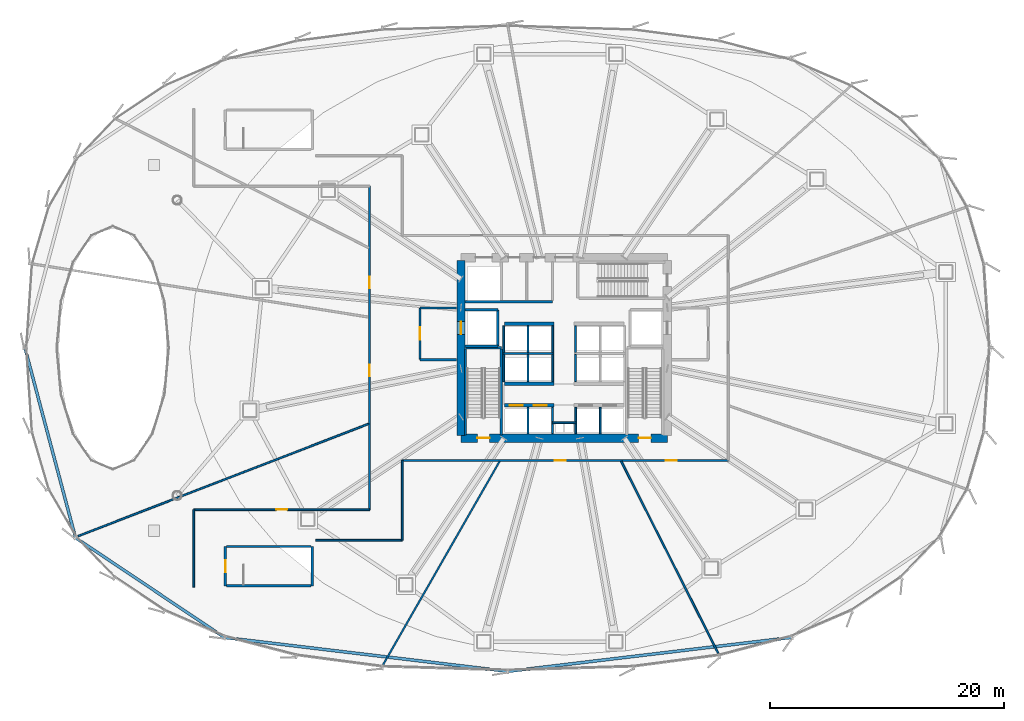
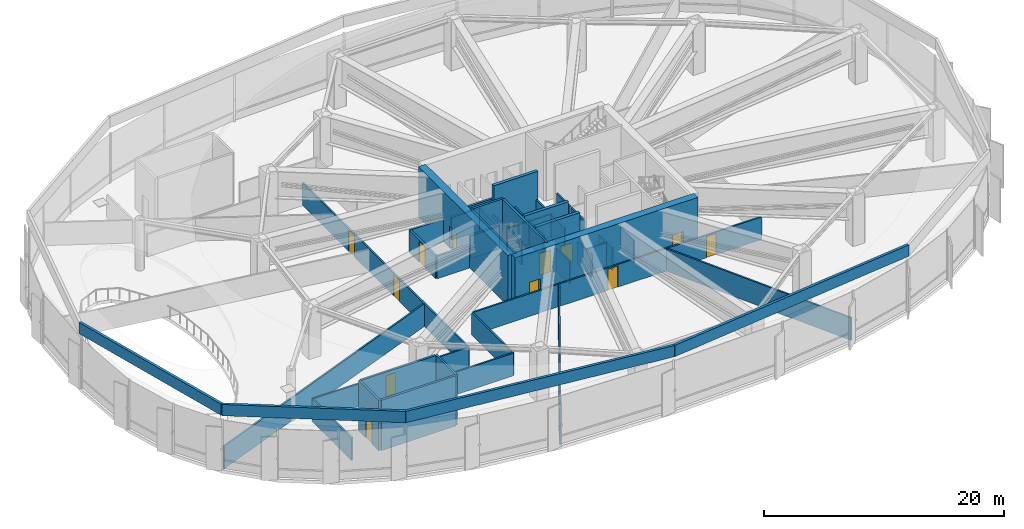
# One storey, part 27 of 36: 46 walls, 12 doors, 12 openings.
"""IFC4 building model written with IfcOpenShell, lengths in metres."""

from ifc_helpers import new_model, si_unit, direction, frame, frame_2d, origin, place, context, subcontext, project, spatial, rectangle, extrude, source, transform, mapped, material, layer, layer_set, type_object, element, fill, save


model = new_model("IFC4")

# Units and contexts
model_context = context("Model", 3, precision=1e-05, world=origin(), true_north=direction((0.0, 1.0)))
body_context = subcontext(model_context, "Body", "Model", "MODEL_VIEW")
ifc_project = project(units=[si_unit("LENGTHUNIT", "METRE"), si_unit("AREAUNIT", "SQUARE_METRE"), si_unit("VOLUMEUNIT", "CUBIC_METRE"), si_unit("PLANEANGLEUNIT", "RADIAN"), si_unit("MASSUNIT", "GRAM", prefix="KILO"), si_unit("THERMODYNAMICTEMPERATUREUNIT", "KELVIN")], contexts=[model_context])

# Site, building, storey
site_placement = place(None, origin())
site = spatial("IfcSite", under=ifc_project, at=site_placement, CompositionType="ELEMENT")
building_placement = place(site_placement, origin())
building = spatial("IfcBuilding", under=site, at=building_placement, Name="Kethvar Cultural Tower", CompositionType="ELEMENT")
storey_placement = place(building_placement, frame((0.0, 0.0, 24.0)))
storey = spatial("IfcBuildingStorey", under=building, at=storey_placement, Name="L05", CompositionType="ELEMENT", Elevation=24.0)

# Wall, openings, doors
ifc_material_1 = material(Name="Concrete C60/75", Category="concrete")
ifc_layer_1 = layer(ifc_material_1, 0.699951171875, Name="Concrete C60/75", Category="concrete")
ifc_layer_set_1 = layer_set([ifc_layer_1], Name="Concrete C60/75 (700 mm)")
wall_type_1 = type_object("IfcWallType", Name="WL-CORE-700", PredefinedType="SHEAR", material=ifc_layer_set_1)
wall_1_placement = place(storey_placement, frame((38.0, 20.10009765625, 0.0), z_axis=(0.0, 0.0, 1.0), x_axis=(1.0, 0.0, 0.0)))
wall_1 = element("IfcWall", 1, at=wall_1_placement, inside=storey, type_object=wall_type_1, Name="L05 Core Shear Wall S", PredefinedType="SHEAR", context=body_context, shape_type="SweptSolid", body=[
    extrude(rectangle(XDim=17.60009765625, YDim=0.699951171875, at=frame_2d((8.800048828125, 0.0))), origin(), (0.0, 0.0, 1.0), 5.1201171875),
])
opening_1_placement = place(wall_1_placement, frame((1.39990234375, 0.0, 0.0)))
opening_1 = element("IfcOpeningElement", 2, at=opening_1_placement, cuts=wall_1, Name="Opening D-L05-S1", PredefinedType="OPENING", context=body_context, shape_type="SweptSolid", body=[
    extrude(rectangle(XDim=1.050048828125, YDim=2.14990234375, at=frame_2d((0.52490234375, 1.074951171875))), frame((0.0, 0.35986328125, 0.0), z_axis=(0.0, -1.0, 0.0), x_axis=(1.0, 0.0, 0.0)), (0.0, 0.0, 1.0), 0.719970703125),
])
opening_2_placement = place(wall_1_placement, frame((15.14990234375, 0.0, 0.0)))
opening_2 = element("IfcOpeningElement", 3, at=opening_2_placement, cuts=wall_1, Name="Opening D-L05-ST2", PredefinedType="OPENING", context=body_context, shape_type="SweptSolid", body=[
    extrude(rectangle(XDim=1.050048828125, YDim=2.14990234375, at=frame_2d((0.52490234375, 1.074951171875))), frame((0.0, 0.35986328125, 0.0), z_axis=(0.0, -1.0, 0.0), x_axis=(1.0, 0.0, 0.0)), (0.0, 0.0, 1.0), 0.719970703125),
])
ifc_material_2 = material(Name="Steel S355J2", Category="steel")
door_type_1 = type_object("IfcDoorType", Name="DR-FD60-1050", OperationType="NOTDEFINED", PredefinedType="DOOR", material=ifc_material_2)
shared_shape_1 = source(origin(), body_context, "Body", "SweptSolid", [
    extrude(rectangle(XDim=1.050048828125, YDim=2.14990234375, at=frame_2d((0.52490234375, 1.074951171875))), frame((0.0, 0.02490234375, 0.0), z_axis=(0.0, -1.0, 0.0), x_axis=(1.0, 0.0, 0.0)), (0.0, 0.0, 1.0), 0.050048828125),
])
door_1_placement = place(opening_1_placement, origin())
door_1 = element("IfcDoor", 4, at=door_1_placement, inside=storey, type_object=door_type_1, Name="L05 Exit Stair 1 Door", OperationType="SINGLE_SWING_LEFT", OverallHeight=2.14990234375, OverallWidth=1.050048828125, PredefinedType="DOOR", context=body_context, shape_type="MappedRepresentation", body=[
    mapped(shared_shape_1, transform((0.0, 0.0, 0.0), scale=1.0)),
])
fill(opening_1, door_1)
door_2_placement = place(opening_2_placement, origin())
door_2 = element("IfcDoor", 5, at=door_2_placement, inside=storey, type_object=door_type_1, Name="L05 Exit Stair 2 Door", OperationType="SINGLE_SWING_RIGHT", OverallHeight=2.14990234375, OverallWidth=1.050048828125, PredefinedType="DOOR", context=body_context, shape_type="MappedRepresentation", body=[
    mapped(shared_shape_1, transform((0.0, 0.0, 0.0), scale=1.0)),
])
fill(opening_2, door_2)

# Wall, opening, door
wall_2_placement = place(storey_placement, frame((38.0, 35.260009765625, 0.0), z_axis=(0.0, 0.0, 1.0), x_axis=(0.0, -1.0, 0.0)))
wall_2 = element("IfcWall", 6, at=wall_2_placement, inside=storey, type_object=wall_type_1, Name="L05 Core Shear Wall W", PredefinedType="SHEAR", context=body_context, shape_type="SweptSolid", body=[
    extrude(rectangle(XDim=14.919921875, YDim=0.699951171875, at=frame_2d((7.4599609375, 0.0))), origin(), (0.0, 0.0, 1.0), 5.1201171875),
])
opening_3_placement = place(wall_2_placement, frame((5.2099609375, 0.0, 0.0)))
opening_3 = element("IfcOpeningElement", 7, at=opening_3_placement, cuts=wall_2, Name="Opening LD-1", PredefinedType="OPENING", context=body_context, shape_type="SweptSolid", body=[
    extrude(rectangle(XDim=1.10009765625, YDim=2.199951171875, at=frame_2d((0.550048828125, 1.10009765625))), frame((0.0, 0.35986328125, 0.0), z_axis=(0.0, -1.0, 0.0), x_axis=(1.0, 0.0, 0.0)), (0.0, 0.0, 1.0), 0.719970703125),
])
door_type_2 = type_object("IfcDoorType", Name="DR-LIFT-SLIDE-1100", OperationType="NOTDEFINED", PredefinedType="DOOR", material=ifc_material_2)
shared_shape_2 = source(origin(), body_context, "Body", "SweptSolid", [
    extrude(rectangle(XDim=1.10009765625, YDim=2.199951171875, at=frame_2d((0.550048828125, 1.10009765625))), frame((0.0, 0.02490234375, 0.0), z_axis=(0.0, -1.0, 0.0), x_axis=(1.0, 0.0, 0.0)), (0.0, 0.0, 1.0), 0.050048828125),
])
door_3_placement = place(opening_3_placement, origin())
door_3 = element("IfcDoor", 8, at=door_3_placement, inside=storey, type_object=door_type_2, Name="L05 Firefighting Lift Landing Door FFL-01", OperationType="SLIDING_TO_LEFT", OverallHeight=2.199951171875, OverallWidth=1.10009765625, PredefinedType="DOOR", context=body_context, shape_type="MappedRepresentation", body=[
    mapped(shared_shape_2, transform((0.0, 0.0, 0.0), scale=1.0)),
])
fill(opening_3, door_3)

# Walls
ifc_material_3 = material(Name="Gypsum Fireboard Partition")
ifc_layer_2 = layer(ifc_material_3, 0.14990234375, Name="Gypsum Fireboard Partition")
ifc_layer_set_2 = layer_set([ifc_layer_2], Name="Gypsum Fireboard Partition (150 mm)")
wall_type_2 = type_object("IfcWallType", Name="WL-FIRE-150", PredefinedType="PARTITIONING", material=ifc_layer_set_2)
wall_3_placement = place(storey_placement, frame((45.800048828125, 21.419921875, 0.0), z_axis=(0.0, 0.0, 1.0), x_axis=(1.0, 0.0, 0.0)))
element("IfcWall", 9, at=wall_3_placement, inside=storey, type_object=wall_type_2, Name="L05 Core Riser Wall", PredefinedType="PARTITIONING", context=body_context, shape_type="SweptSolid", body=[
    extrude(rectangle(XDim=2.0, YDim=0.14990234375, at=frame_2d((1.0, 0.0))), origin(), (0.0, 0.0, 1.0), 2.294921875),
])
for number, where, z_axis, x_axis, name in (
    (10, (45.800048828125, 20.47998046875, 0.0), (0.0, 0.0, 1.0), (0.0, 1.0, 0.0), "L05 Core Riser West Wall"),
    (11, (47.800048828125, 20.47998046875, 0.0), (0.0, 0.0, 1.0), (0.0, 1.0, 0.0), "L05 Core Riser East Wall"),
):
    element("IfcWall", number, at=place(storey_placement, frame(where, z_axis=z_axis, x_axis=x_axis)), inside=storey, type_object=wall_type_2, Name=name, PredefinedType="PARTITIONING", context=body_context, shape_type="SweptSolid", body=[
        extrude(rectangle(XDim=2.239990234375, YDim=0.14990234375, at=frame_2d((1.1201171875, 0.0))), origin(), (0.0, 0.0, 1.0), 2.294921875),
    ])
for number, where, z_axis, x_axis, name in (
    (12, (43.72509765625, 20.4599609375, 0.0), (0.0, 0.0, 1.0), (0.0, 1.0, 0.0), "L05 Low-Rise Lift Shaft Divider W"),
    (13, (49.875, 20.4599609375, 0.0), (0.0, 0.0, 1.0), (0.0, 1.0, 0.0), "L05 Low-Rise Lift Shaft Divider E"),
):
    element("IfcWall", number, at=place(storey_placement, frame(where, z_axis=z_axis, x_axis=x_axis)), inside=storey, type_object=wall_type_2, Name=name, PredefinedType="PARTITIONING", context=body_context, shape_type="SweptSolid", body=[
        extrude(rectangle(XDim=2.27001953125, YDim=0.14990234375, at=frame_2d((1.135009765625, 0.0))), origin(), (0.0, 0.0, 1.0), 2.294921875),
    ])
wall_4_placement = place(storey_placement, frame((41.580078125, 27.324951171875, 0.0), z_axis=(0.0, 0.0, 1.0), x_axis=(1.0, 0.0, 0.0)))
element("IfcWall", 14, at=wall_4_placement, inside=storey, type_object=wall_type_2, Name="L05 Mid-High Lift Shaft Back Wall W", PredefinedType="PARTITIONING", context=body_context, shape_type="SweptSolid", body=[
    extrude(rectangle(XDim=4.31982421875, YDim=0.14990234375, at=frame_2d((2.159912109375, 0.0))), origin(), (0.0, 0.0, 1.0), 2.294921875),
])
for number, where, z_axis, x_axis, name in (
    (15, (41.64990234375, 24.919921875, 0.0), (0.0, 0.0, 1.0), (0.0, 1.0, 0.0), "L05 Mid-Rise Lift Shaft Outer Wall W"),
    (16, (43.72509765625, 24.919921875, 0.0), (0.0, 0.0, 1.0), (0.0, 1.0, 0.0), "L05 Mid-Rise Lift Shaft Divider W"),
    (17, (45.824951171875, 24.919921875, 0.0), (0.0, 0.0, 1.0), (0.0, 1.0, 0.0), "L05 Mid-Rise Lift Shaft Concourse Wall W"),
    (18, (47.77490234375, 24.919921875, 0.0), (0.0, 0.0, 1.0), (0.0, 1.0, 0.0), "L05 Mid-Rise Lift Shaft Concourse Wall E"),
):
    element("IfcWall", number, at=place(storey_placement, frame(where, z_axis=z_axis, x_axis=x_axis)), inside=storey, type_object=wall_type_2, Name=name, PredefinedType="PARTITIONING", context=body_context, shape_type="SweptSolid", body=[
        extrude(rectangle(XDim=2.320068359375, YDim=0.14990234375, at=frame_2d((1.16015625, 0.0))), origin(), (0.0, 0.0, 1.0), 2.294921875),
    ])
for number, where, z_axis, x_axis, name in (
    (19, (41.64990234375, 27.409912109375, 0.0), (0.0, 0.0, 1.0), (0.0, 1.0, 0.0), "L05 High-Rise Lift Shaft Outer Wall W"),
    (20, (43.72509765625, 27.409912109375, 0.0), (0.0, 0.0, 1.0), (0.0, 1.0, 0.0), "L05 High-Rise Lift Shaft Divider W"),
    (21, (45.824951171875, 27.409912109375, 0.0), (0.0, 0.0, 1.0), (0.0, 1.0, 0.0), "L05 High-Rise Lift Shaft Concourse Wall W"),
    (22, (47.77490234375, 27.409912109375, 0.0), (0.0, 0.0, 1.0), (0.0, 1.0, 0.0), "L05 High-Rise Lift Shaft Concourse Wall E"),
):
    element("IfcWall", number, at=place(storey_placement, frame(where, z_axis=z_axis, x_axis=x_axis)), inside=storey, type_object=wall_type_2, Name=name, PredefinedType="PARTITIONING", context=body_context, shape_type="SweptSolid", body=[
        extrude(rectangle(XDim=2.27001953125, YDim=0.14990234375, at=frame_2d((1.135009765625, 0.0))), origin(), (0.0, 0.0, 1.0), 2.294921875),
    ])

# Wall, openings, doors
wall_5_placement = place(storey_placement, frame((33.0, 18.199951171875, 0.0), z_axis=(0.0, 0.0, 1.0), x_axis=(1.0, 0.0, 0.0)))
wall_5 = element("IfcWall", 23, at=wall_5_placement, inside=storey, type_object=wall_type_2, Name="L05 Corridor Rated Wall S", PredefinedType="PARTITIONING", context=body_context, shape_type="SweptSolid", body=[
    extrude(rectangle(XDim=27.800048828125, YDim=0.14990234375, at=frame_2d((13.89990234375, 0.0))), origin(), (0.0, 0.0, 1.0), 2.294921875),
])
opening_4_placement = place(wall_5_placement, frame((13.007568359375, 0.0, 0.0)))
opening_4 = element("IfcOpeningElement", 24, at=opening_4_placement, cuts=wall_5, Name="Opening D-L05-07", PredefinedType="OPENING", context=body_context, shape_type="SweptSolid", body=[
    extrude(rectangle(XDim=0.949951171875, YDim=2.14990234375, at=frame_2d((0.47509765625, 1.074951171875))), frame((0.0, 0.0849609375, 0.0), z_axis=(0.0, -1.0, 0.0), x_axis=(1.0, 0.0, 0.0)), (0.0, 0.0, 1.0), 0.169921875),
])
opening_5_placement = place(wall_5_placement, frame((22.452392578125, 0.0, 0.0)))
opening_5 = element("IfcOpeningElement", 25, at=opening_5_placement, cuts=wall_5, Name="Opening D-L05-08", PredefinedType="OPENING", context=body_context, shape_type="SweptSolid", body=[
    extrude(rectangle(XDim=0.949951171875, YDim=2.14990234375, at=frame_2d((0.47509765625, 1.074951171875))), frame((0.0, 0.0849609375, 0.0), z_axis=(0.0, -1.0, 0.0), x_axis=(1.0, 0.0, 0.0)), (0.0, 0.0, 1.0), 0.169921875),
])
ifc_material_4 = material(Name="Architectural Oak Timber", Category="wood")
door_type_3 = type_object("IfcDoorType", Name="DR-FD30-950", OperationType="NOTDEFINED", PredefinedType="DOOR", material=ifc_material_4)
shared_shape_3 = source(origin(), body_context, "Body", "SweptSolid", [
    extrude(rectangle(XDim=0.949951171875, YDim=2.14990234375, at=frame_2d((0.47509765625, 1.074951171875))), frame((0.0, 0.02490234375, 0.0), z_axis=(0.0, -1.0, 0.0), x_axis=(1.0, 0.0, 0.0)), (0.0, 0.0, 1.0), 0.050048828125),
])
door_4_placement = place(opening_4_placement, origin())
door_4 = element("IfcDoor", 26, at=door_4_placement, inside=storey, type_object=door_type_3, Name="L05 Podium South Refuge Area 07 Door", OperationType="SINGLE_SWING_RIGHT", OverallHeight=2.14990234375, OverallWidth=0.949951171875, PredefinedType="DOOR", context=body_context, shape_type="MappedRepresentation", body=[
    mapped(shared_shape_3, transform((0.0, 0.0, 0.0), scale=1.0)),
])
fill(opening_4, door_4)
door_5_placement = place(opening_5_placement, origin())
door_5 = element("IfcDoor", 27, at=door_5_placement, inside=storey, type_object=door_type_3, Name="L05 Podium Primary AHU Plant Room 08 Door", OperationType="SINGLE_SWING_LEFT", OverallHeight=2.14990234375, OverallWidth=0.949951171875, PredefinedType="DOOR", context=body_context, shape_type="MappedRepresentation", body=[
    mapped(shared_shape_3, transform((0.0, 0.0, 0.0), scale=1.0)),
])
fill(opening_5, door_5)

wall_6_placement = place(storey_placement, frame((30.199951171875, 14.0, 0.0), z_axis=(0.0, 0.0, 1.0), x_axis=(0.0, 1.0, 0.0)))
wall_6 = element("IfcWall", 28, at=wall_6_placement, inside=storey, type_object=wall_type_2, Name="L05 Corridor Rated Wall WM", PredefinedType="PARTITIONING", context=body_context, shape_type="SweptSolid", body=[
    extrude(rectangle(XDim=27.60009765625, YDim=0.14990234375, at=frame_2d((13.800048828125, 0.0))), origin(), (0.0, 0.0, 1.0), 2.294921875),
])
opening_6_placement = place(wall_6_placement, frame((18.90185546875, 0.0, 0.0)))
opening_6 = element("IfcOpeningElement", 29, at=opening_6_placement, cuts=wall_6, Name="Opening D-L05-04", PredefinedType="OPENING", context=body_context, shape_type="SweptSolid", body=[
    extrude(rectangle(XDim=0.949951171875, YDim=2.14990234375, at=frame_2d((0.47509765625, 1.074951171875))), frame((0.0, 0.0849609375, 0.0), z_axis=(0.0, -1.0, 0.0), x_axis=(1.0, 0.0, 0.0)), (0.0, 0.0, 1.0), 0.169921875),
])
opening_7_placement = place(wall_6_placement, frame((11.401123046875, 0.0, 0.0)))
opening_7 = element("IfcOpeningElement", 30, at=opening_7_placement, cuts=wall_6, Name="Opening D-L05-05", PredefinedType="OPENING", context=body_context, shape_type="SweptSolid", body=[
    extrude(rectangle(XDim=0.949951171875, YDim=2.14990234375, at=frame_2d((0.47509765625, 1.074951171875))), frame((0.0, 0.0849609375, 0.0), z_axis=(0.0, -1.0, 0.0), x_axis=(1.0, 0.0, 0.0)), (0.0, 0.0, 1.0), 0.169921875),
])
door_6_placement = place(opening_6_placement, origin())
door_6 = element("IfcDoor", 31, at=door_6_placement, inside=storey, type_object=door_type_3, Name="L05 Podium North Refuge Area 04 Door", OperationType="SINGLE_SWING_LEFT", OverallHeight=2.14990234375, OverallWidth=0.949951171875, PredefinedType="DOOR", context=body_context, shape_type="MappedRepresentation", body=[
    mapped(shared_shape_3, transform((0.0, 0.0, 0.0), scale=1.0)),
])
fill(opening_6, door_6)
door_7_placement = place(opening_7_placement, origin())
door_7 = element("IfcDoor", 32, at=door_7_placement, inside=storey, type_object=door_type_3, Name="L05 Atrium Pressurisation Plant Room 05 Door", OperationType="SINGLE_SWING_RIGHT", OverallHeight=2.14990234375, OverallWidth=0.949951171875, PredefinedType="DOOR", context=body_context, shape_type="MappedRepresentation", body=[
    mapped(shared_shape_3, transform((0.0, 0.0, 0.0), scale=1.0)),
])
fill(opening_7, door_7)

# Wall, opening, door
wall_7_placement = place(storey_placement, frame((15.199951171875, 14.0, 0.0), z_axis=(0.0, 0.0, 1.0), x_axis=(1.0, 0.0, 0.0)))
wall_7 = element("IfcWall", 33, at=wall_7_placement, inside=storey, type_object=wall_type_2, Name="L05 Corridor Rated Wall WS1", PredefinedType="PARTITIONING", context=body_context, shape_type="SweptSolid", body=[
    extrude(rectangle(XDim=15.0, YDim=0.14990234375, at=frame_2d((7.5, 0.0))), origin(), (0.0, 0.0, 1.0), 2.294921875),
])
opening_8_placement = place(wall_7_placement, frame((7.02490234375, 0.0, 0.0)))
opening_8 = element("IfcOpeningElement", 34, at=opening_8_placement, cuts=wall_7, Name="Opening D-L05-06", PredefinedType="OPENING", context=body_context, shape_type="SweptSolid", body=[
    extrude(rectangle(XDim=0.949951171875, YDim=2.14990234375, at=frame_2d((0.47509765625, 1.074951171875))), frame((0.0, 0.0849609375, 0.0), z_axis=(0.0, -1.0, 0.0), x_axis=(1.0, 0.0, 0.0)), (0.0, 0.0, 1.0), 0.169921875),
])
door_8_placement = place(opening_8_placement, origin())
door_8 = element("IfcDoor", 35, at=door_8_placement, inside=storey, type_object=door_type_3, Name="L05 West Atrium Mechanical Plant Room 06 Door", OperationType="SINGLE_SWING_LEFT", OverallHeight=2.14990234375, OverallWidth=0.949951171875, PredefinedType="DOOR", context=body_context, shape_type="MappedRepresentation", body=[
    mapped(shared_shape_3, transform((0.0, 0.0, 0.0), scale=1.0)),
])
fill(opening_8, door_8)

# Walls
wall_8_placement = place(storey_placement, frame((25.60009765625, 11.39990234375, 0.0), z_axis=(0.0, 0.0, 1.0), x_axis=(1.0, 0.0, 0.0)))
element("IfcWall", 36, at=wall_8_placement, inside=storey, type_object=wall_type_2, Name="L05 Corridor Rated Wall WS2", PredefinedType="PARTITIONING", context=body_context, shape_type="SweptSolid", body=[
    extrude(rectangle(XDim=7.39990234375, YDim=0.14990234375, at=frame_2d((3.699951171875, 0.0))), origin(), (0.0, 0.0, 1.0), 2.294921875),
])
wall_9_placement = place(storey_placement, frame((33.0, 11.39990234375, 0.0), z_axis=(0.0, 0.0, 1.0), x_axis=(0.0, 1.0, 0.0)))
element("IfcWall", 37, at=wall_9_placement, inside=storey, type_object=wall_type_2, Name="L05 Corridor Rated Wall WS3", PredefinedType="PARTITIONING", context=body_context, shape_type="SweptSolid", body=[
    extrude(rectangle(XDim=6.800048828125, YDim=0.14990234375, at=frame_2d((3.39990234375, 0.0))), origin(), (0.0, 0.0, 1.0), 2.294921875),
])
wall_10_placement = place(storey_placement, frame((15.199951171875, 7.39990234375, 0.0), z_axis=(0.0, 0.0, 1.0), x_axis=(0.0, 1.0, 0.0)))
element("IfcWall", 38, at=wall_10_placement, inside=storey, type_object=wall_type_2, Name="L05 Corridor Rated Wall WS4", PredefinedType="PARTITIONING", context=body_context, shape_type="SweptSolid", body=[
    extrude(rectangle(XDim=6.60009765625, YDim=0.14990234375, at=frame_2d((3.300048828125, 0.0))), origin(), (0.0, 0.0, 1.0), 2.294921875),
])
wall_11_placement = place(storey_placement, frame((30.12548828125, 21.322265625, 0.0), z_axis=(0.0, 0.0, 1.0), x_axis=(-0.93280788478, -0.360374041924, 0.0)))
element("IfcWall", 39, at=wall_11_placement, inside=storey, type_object=wall_type_2, Name="L05 Radial Partition Wall 06", PredefinedType="PARTITIONING", context=body_context, shape_type="SweptSolid", body=[
    extrude(rectangle(XDim=26.591064453125, YDim=0.14990234375, at=frame_2d((13.29541015625, 0.0))), origin(), (0.0, 0.0, 1.0), 2.294921875),
])
wall_12_placement = place(storey_placement, frame((41.299560546875, 18.130615234375, 0.0), z_axis=(0.0, 0.0, 1.0), x_axis=(-0.497048685362, -0.867722654066, 0.0)))
element("IfcWall", 40, at=wall_12_placement, inside=storey, type_object=wall_type_2, Name="L05 Radial Partition Wall 07", PredefinedType="PARTITIONING", context=body_context, shape_type="SweptSolid", body=[
    extrude(rectangle(XDim=20.02197265625, YDim=0.14990234375, at=frame_2d((10.010986328125, 0.0))), origin(), (0.0, 0.0, 1.0), 2.294921875),
])
wall_13_placement = place(storey_placement, frame((51.670654296875, 18.128662109375, 0.0), z_axis=(0.0, 0.0, 1.0), x_axis=(0.451087428979, -0.89247976527, 0.0)))
element("IfcWall", 41, at=wall_13_placement, inside=storey, type_object=wall_type_2, Name="L05 Radial Partition Wall 08", PredefinedType="PARTITIONING", context=body_context, shape_type="SweptSolid", body=[
    extrude(rectangle(XDim=18.3828125, YDim=0.14990234375, at=frame_2d((9.19140625, 0.0))), origin(), (0.0, 0.0, 1.0), 2.294921875),
])
ifc_material_5 = material(Name="Concrete C40/50", Category="concrete")
ifc_layer_3 = layer(ifc_material_5, 0.199951171875, Name="Concrete C40/50", Category="concrete")
ifc_layer_set_3 = layer_set([ifc_layer_3], Name="Concrete C40/50 (200 mm)")
wall_type_3 = type_object("IfcWallType", Name="WL-FIRE-200", PredefinedType="PARTITIONING", material=ifc_layer_set_3)
wall_14_placement = place(storey_placement, frame((41.14990234375, 27.949951171875, 0.0), z_axis=(0.0, 0.0, 1.0), x_axis=(0.0, 1.0, 0.0)))
element("IfcWall", 42, at=wall_14_placement, inside=storey, type_object=wall_type_3, Name="L05 FFL-01 Shaft Inner Wall", PredefinedType="PARTITIONING", context=body_context, shape_type="SweptSolid", body=[
    extrude(rectangle(XDim=3.10009765625, YDim=0.199951171875, at=frame_2d((1.550048828125, 0.0))), origin(), (0.0, 0.0, 1.0), 2.294921875),
])
for number, where, z_axis, x_axis, name in (
    (43, (38.360107421875, 27.949951171875, 0.0), (0.0, 0.0, 1.0), (1.0, 0.0, 0.0), "L05 FFL-01 Shaft South Wall"),
    (44, (38.360107421875, 31.050048828125, 0.0), (0.0, 0.0, 1.0), (1.0, 0.0, 0.0), "L05 FFL-01 Shaft North Wall"),
):
    element("IfcWall", number, at=place(storey_placement, frame(where, z_axis=z_axis, x_axis=x_axis)), inside=storey, type_object=wall_type_3, Name=name, PredefinedType="PARTITIONING", context=body_context, shape_type="SweptSolid", body=[
        extrude(rectangle(XDim=2.789794921875, YDim=0.199951171875, at=frame_2d((1.39501953125, 0.0))), origin(), (0.0, 0.0, 1.0), 2.294921875),
    ])

# Wall, opening, door
wall_15_placement = place(storey_placement, frame((34.5, 31.199951171875, 0.0), z_axis=(0.0, 0.0, 1.0), x_axis=(0.0, -1.0, 0.0)))
wall_15 = element("IfcWall", 45, at=wall_15_placement, inside=storey, type_object=wall_type_3, Name="L05 Firefighting Lobby 1 Wall", PredefinedType="PARTITIONING", context=body_context, shape_type="SweptSolid", body=[
    extrude(rectangle(XDim=4.39990234375, YDim=0.199951171875, at=frame_2d((2.199951171875, 0.0))), origin(), (0.0, 0.0, 1.0), 2.294921875),
])
opening_9_placement = place(wall_15_placement, frame((1.64990234375, 0.0, 0.0)))
opening_9 = element("IfcOpeningElement", 46, at=opening_9_placement, cuts=wall_15, Name="Opening D-L05-F1", PredefinedType="OPENING", context=body_context, shape_type="SweptSolid", body=[
    extrude(rectangle(XDim=1.050048828125, YDim=2.14990234375, at=frame_2d((0.52490234375, 1.074951171875))), frame((0.0, 0.10986328125, 0.0), z_axis=(0.0, -1.0, 0.0), x_axis=(1.0, 0.0, 0.0)), (0.0, 0.0, 1.0), 0.219970703125),
])
door_9_placement = place(opening_9_placement, origin())
door_9 = element("IfcDoor", 47, at=door_9_placement, inside=storey, type_object=door_type_1, Name="L05 Firefighting Lobby 1 Fire Door", OperationType="SINGLE_SWING_LEFT", OverallHeight=2.14990234375, OverallWidth=1.050048828125, PredefinedType="DOOR", context=body_context, shape_type="MappedRepresentation", body=[
    mapped(shared_shape_1, transform((0.0, 0.0, 0.0), scale=1.0)),
])
fill(opening_9, door_9)

# Walls
for number, where, z_axis, x_axis, name in (
    (48, (34.5, 26.800048828125, 0.0), (0.0, 0.0, 1.0), (1.0, 0.0, 0.0), "L05 FF Lobby 1 South Wall"),
    (49, (34.5, 31.199951171875, 0.0), (0.0, 0.0, 1.0), (1.0, 0.0, 0.0), "L05 FF Lobby 1 North Wall"),
):
    element("IfcWall", number, at=place(storey_placement, frame(where, z_axis=z_axis, x_axis=x_axis)), inside=storey, type_object=wall_type_3, Name=name, PredefinedType="PARTITIONING", context=body_context, shape_type="SweptSolid", body=[
        extrude(rectangle(XDim=3.139892578125, YDim=0.199951171875, at=frame_2d((1.56982421875, 0.0))), origin(), (0.0, 0.0, 1.0), 2.294921875),
    ])
wall_16_placement = place(storey_placement, frame((38.360107421875, 31.72998046875, 0.0), z_axis=(0.0, 0.0, 1.0), x_axis=(1.0, 0.0, 0.0)))
element("IfcWall", 50, at=wall_16_placement, inside=storey, type_object=wall_type_3, Name="L05 North Core Sanitary South Wall", PredefinedType="PARTITIONING", context=body_context, shape_type="SweptSolid", body=[
    extrude(rectangle(XDim=7.43994140625, YDim=0.199951171875, at=frame_2d((3.719970703125, 0.0))), origin(), (0.0, 0.0, 1.0), 2.294921875),
])
ifc_material_6 = material(Name="Precast concrete C40/50", Category="concrete")
ifc_layer_4 = layer(ifc_material_6, 0.25, Name="Precast concrete C40/50", Category="concrete")
ifc_layer_set_4 = layer_set([ifc_layer_4], Name="Precast concrete C40/50 (250 mm)")
wall_type_4 = type_object("IfcWallType", Name="WL-PARAPET-250", PredefinedType="PARAPET", material=ifc_layer_set_4)
wall_17_placement = place(storey_placement, frame((0.800048828125, 27.800048828125, 5.60009765625), z_axis=(0.0, 0.0, 1.0), x_axis=(0.257499439796, -0.966278447708, 0.0)))
element("IfcWall", 51, at=wall_17_placement, inside=storey, type_object=wall_type_4, Name="Podium Roof Parapet Wall WP-07", PredefinedType="PARAPET", context=body_context, shape_type="SweptSolid", body=[
    extrude(rectangle(XDim=16.759033203125, YDim=0.25, at=frame_2d((8.37939453125, 0.0))), origin(), (0.0, 0.0, 1.0), 1.14990234375),
])
wall_18_placement = place(storey_placement, frame((5.115478515625, 11.606201171875, 5.60009765625), z_axis=(0.0, 0.0, 1.0), x_axis=(0.83081092872, -0.556554759856, 0.0)))
element("IfcWall", 52, at=wall_18_placement, inside=storey, type_object=wall_type_4, Name="Podium Roof Parapet Wall WP-08", PredefinedType="PARAPET", context=body_context, shape_type="SweptSolid", body=[
    extrude(rectangle(XDim=15.2998046875, YDim=0.25, at=frame_2d((7.64990234375, 0.0))), origin(), (0.0, 0.0, 1.0), 1.14990234375),
])
for number, where, z_axis, x_axis, name in (
    (53, (17.82666015625, 3.091064453125, 5.60009765625), (0.0, 0.0, 1.0), (0.992923833036, -0.118752944339, 0.0), "Podium Roof Parapet Wall WP-09"),
    (54, (42.0, 0.199951171875, 5.60009765625), (0.0, 0.0, 1.0), (0.992923833036, 0.118752944339, 0.0), "Podium Roof Parapet Wall WP-10"),
):
    element("IfcWall", number, at=place(storey_placement, frame(where, z_axis=z_axis, x_axis=x_axis)), inside=storey, type_object=wall_type_4, Name=name, PredefinedType="PARAPET", context=body_context, shape_type="SweptSolid", body=[
        extrude(rectangle(XDim=24.345703125, YDim=0.25, at=frame_2d((12.1728515625, 0.0))), origin(), (0.0, 0.0, 1.0), 1.14990234375),
    ])

# Wall, openings, doors
ifc_material_7 = material(Name="Concrete C50/60", Category="concrete")
ifc_layer_5 = layer(ifc_material_7, 0.300048828125, Name="Concrete C50/60", Category="concrete")
ifc_layer_set_5 = layer_set([ifc_layer_5], Name="Concrete C50/60 (300 mm)")
wall_type_5 = type_object("IfcWallType", Name="WL-SHAFT-300", PredefinedType="SHEAR", material=ifc_layer_set_5)
wall_19_placement = place(storey_placement, frame((41.699951171875, 22.89990234375, 0.0), z_axis=(0.0, 0.0, 1.0), x_axis=(1.0, 0.0, 0.0)))
wall_19 = element("IfcWall", 55, at=wall_19_placement, inside=storey, type_object=wall_type_5, Name="L05 Core Lift Spine Wall MID1W", PredefinedType="SHEAR", context=body_context, shape_type="SweptSolid", body=[
    extrude(rectangle(XDim=4.25, YDim=0.300048828125, at=frame_2d((2.125, 0.0))), origin(), (0.0, 0.0, 1.0), 5.1201171875),
])
opening_10_placement = place(wall_19_placement, frame((0.449951171875, 0.0, 0.0)))
opening_10 = element("IfcOpeningElement", 56, at=opening_10_placement, cuts=wall_19, Name="Opening LD-L1", PredefinedType="OPENING", context=body_context, shape_type="SweptSolid", body=[
    extrude(rectangle(XDim=1.10009765625, YDim=2.199951171875, at=frame_2d((0.550048828125, 1.10009765625))), frame((0.0, 0.159912109375, 0.0), z_axis=(0.0, -1.0, 0.0), x_axis=(1.0, 0.0, 0.0)), (0.0, 0.0, 1.0), 0.320068359375),
])
opening_11_placement = place(wall_19_placement, frame((2.5, 0.0, 0.0)))
opening_11 = element("IfcOpeningElement", 57, at=opening_11_placement, cuts=wall_19, Name="Opening LD-L2", PredefinedType="OPENING", context=body_context, shape_type="SweptSolid", body=[
    extrude(rectangle(XDim=1.10009765625, YDim=2.199951171875, at=frame_2d((0.550048828125, 1.10009765625))), frame((0.0, 0.159912109375, 0.0), z_axis=(0.0, -1.0, 0.0), x_axis=(1.0, 0.0, 0.0)), (0.0, 0.0, 1.0), 0.320068359375),
])
door_10_placement = place(opening_10_placement, origin())
door_10 = element("IfcDoor", 58, at=door_10_placement, inside=storey, type_object=door_type_2, Name="L05 Low-Rise Lift Landing Door L1", OperationType="SLIDING_TO_LEFT", OverallHeight=2.199951171875, OverallWidth=1.10009765625, PredefinedType="DOOR", context=body_context, shape_type="MappedRepresentation", body=[
    mapped(shared_shape_2, transform((0.0, 0.0, 0.0), scale=1.0)),
])
fill(opening_10, door_10)
door_11_placement = place(opening_11_placement, origin())
door_11 = element("IfcDoor", 59, at=door_11_placement, inside=storey, type_object=door_type_2, Name="L05 Low-Rise Lift Landing Door L2", OperationType="SLIDING_TO_LEFT", OverallHeight=2.199951171875, OverallWidth=1.10009765625, PredefinedType="DOOR", context=body_context, shape_type="MappedRepresentation", body=[
    mapped(shared_shape_2, transform((0.0, 0.0, 0.0), scale=1.0)),
])
fill(opening_11, door_11)

# Walls
for number, where, z_axis, x_axis, name in (
    (60, (41.699951171875, 24.75, 0.0), (0.0, 0.0, 1.0), (1.0, 0.0, 0.0), "L05 Core Lift Spine Wall MID2W"),
    (61, (41.699951171875, 29.85009765625, 0.0), (0.0, 0.0, 1.0), (1.0, 0.0, 0.0), "L05 Core Lift Spine Wall MID3W"),
):
    element("IfcWall", number, at=place(storey_placement, frame(where, z_axis=z_axis, x_axis=x_axis)), inside=storey, type_object=wall_type_5, Name=name, PredefinedType="SHEAR", context=body_context, shape_type="SweptSolid", body=[
        extrude(rectangle(XDim=4.25, YDim=0.300048828125, at=frame_2d((2.125, 0.0))), origin(), (0.0, 0.0, 1.0), 5.1201171875),
    ])
ifc_layer_6 = layer(ifc_material_7, 0.199951171875, Name="Concrete C50/60", Category="concrete")
ifc_layer_set_6 = layer_set([ifc_layer_6], Name="Concrete C50/60 (200 mm)")
wall_type_6 = type_object("IfcWallType", Name="WL-STSHAFT-200", PredefinedType="SHEAR", material=ifc_layer_set_6)
wall_20_placement = place(storey_placement, frame((38.389892578125, 27.800048828125, 0.0), z_axis=(0.0, 0.0, 1.0), x_axis=(1.0, 0.0, 0.0)))
element("IfcWall", 62, at=wall_20_placement, inside=storey, type_object=wall_type_6, Name="L05 ST-01 Stair Shaft Wall FAR", PredefinedType="SHEAR", context=body_context, shape_type="SweptSolid", body=[
    extrude(rectangle(XDim=3.06005859375, YDim=0.199951171875, at=frame_2d((1.530029296875, 0.0))), origin(), (0.0, 0.0, 1.0), 5.1201171875),
])
for number, where, z_axis, x_axis, name in (
    (63, (41.449951171875, 27.699951171875, 0.0), (0.0, 0.0, 1.0), (0.0, -1.0, 0.0), "L05 ST-01 Stair Shaft Wall LEFT"),
    (64, (38.389892578125, 20.35009765625, 0.0), (0.0, 0.0, 1.0), (0.0, 1.0, 0.0), "L05 ST-01 Stair Shaft Wall RIGHT"),
):
    element("IfcWall", number, at=place(storey_placement, frame(where, z_axis=z_axis, x_axis=x_axis)), inside=storey, type_object=wall_type_6, Name=name, PredefinedType="SHEAR", context=body_context, shape_type="SweptSolid", body=[
        extrude(rectangle(XDim=7.349853515625, YDim=0.199951171875, at=frame_2d((3.6748046875, 0.0))), origin(), (0.0, 0.0, 1.0), 5.1201171875),
    ])

# Wall, opening, door
wall_21_placement = place(storey_placement, frame((17.89990234375, 7.5, 0.0), z_axis=(0.0, 0.0, 1.0), x_axis=(0.0, 1.0, 0.0)))
wall_21 = element("IfcWall", 65, at=wall_21_placement, inside=storey, type_object=wall_type_6, Name="L05 ST-04 Stair Shaft Wall NEAR", PredefinedType="SHEAR", context=body_context, shape_type="SweptSolid", body=[
    extrude(rectangle(XDim=3.360107421875, YDim=0.199951171875, at=frame_2d((1.68017578125, 0.0))), origin(), (0.0, 0.0, 1.0), 5.1201171875),
])
opening_12_placement = place(wall_21_placement, frame((1.155029296875, 0.0, 0.0)))
opening_12 = element("IfcOpeningElement", 66, at=opening_12_placement, cuts=wall_21, Name="Opening D-L05-ST4", PredefinedType="OPENING", context=body_context, shape_type="SweptSolid", body=[
    extrude(rectangle(XDim=1.050048828125, YDim=2.14990234375, at=frame_2d((0.52490234375, 1.074951171875))), frame((0.0, 0.10986328125, 0.0), z_axis=(0.0, -1.0, 0.0), x_axis=(1.0, 0.0, 0.0)), (0.0, 0.0, 1.0), 0.219970703125),
])
door_12_placement = place(opening_12_placement, origin())
door_12 = element("IfcDoor", 67, at=door_12_placement, inside=storey, type_object=door_type_1, Name="L05 ST-04 Stair Landing Fire Door", OperationType="SINGLE_SWING_LEFT", OverallHeight=2.14990234375, OverallWidth=1.050048828125, PredefinedType="DOOR", context=body_context, shape_type="MappedRepresentation", body=[
    mapped(shared_shape_1, transform((0.0, 0.0, 0.0), scale=1.0)),
])
fill(opening_12, door_12)

# Walls
wall_22_placement = place(storey_placement, frame((25.300048828125, 10.860107421875, 0.0), z_axis=(0.0, 0.0, 1.0), x_axis=(0.0, -1.0, 0.0)))
element("IfcWall", 68, at=wall_22_placement, inside=storey, type_object=wall_type_6, Name="L05 ST-04 Stair Shaft Wall FAR", PredefinedType="SHEAR", context=body_context, shape_type="SweptSolid", body=[
    extrude(rectangle(XDim=3.360107421875, YDim=0.199951171875, at=frame_2d((1.68017578125, 0.0))), origin(), (0.0, 0.0, 1.0), 5.1201171875),
])
for number, where, z_axis, x_axis, name in (
    (69, (25.199951171875, 7.5, 0.0), (0.0, 0.0, 1.0), (-1.0, 0.0, 0.0), "L05 ST-04 Stair Shaft Wall LEFT"),
    (70, (18.0, 10.860107421875, 0.0), (0.0, 0.0, 1.0), (1.0, 0.0, 0.0), "L05 ST-04 Stair Shaft Wall RIGHT"),
):
    element("IfcWall", number, at=place(storey_placement, frame(where, z_axis=z_axis, x_axis=x_axis)), inside=storey, type_object=wall_type_6, Name=name, PredefinedType="SHEAR", context=body_context, shape_type="SweptSolid", body=[
        extrude(rectangle(XDim=7.199951171875, YDim=0.199951171875, at=frame_2d((3.60009765625, 0.0))), origin(), (0.0, 0.0, 1.0), 5.1201171875),
    ])

save(model, "model.ifc")
